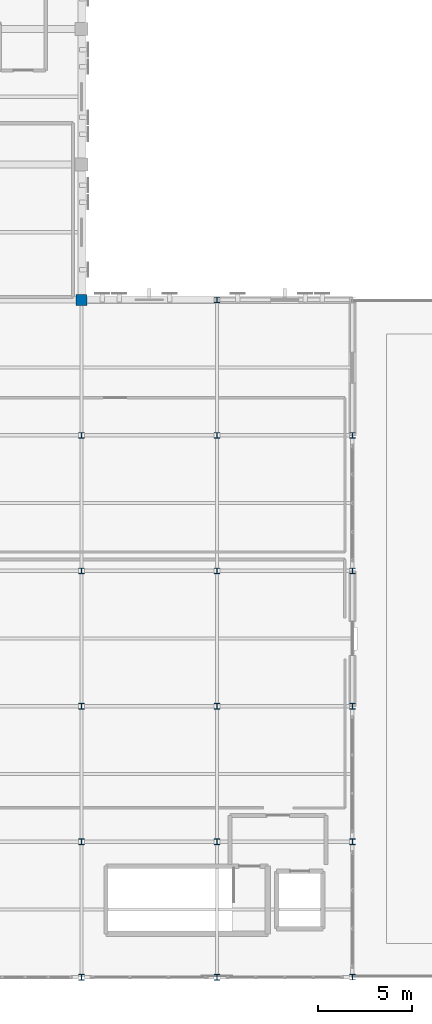
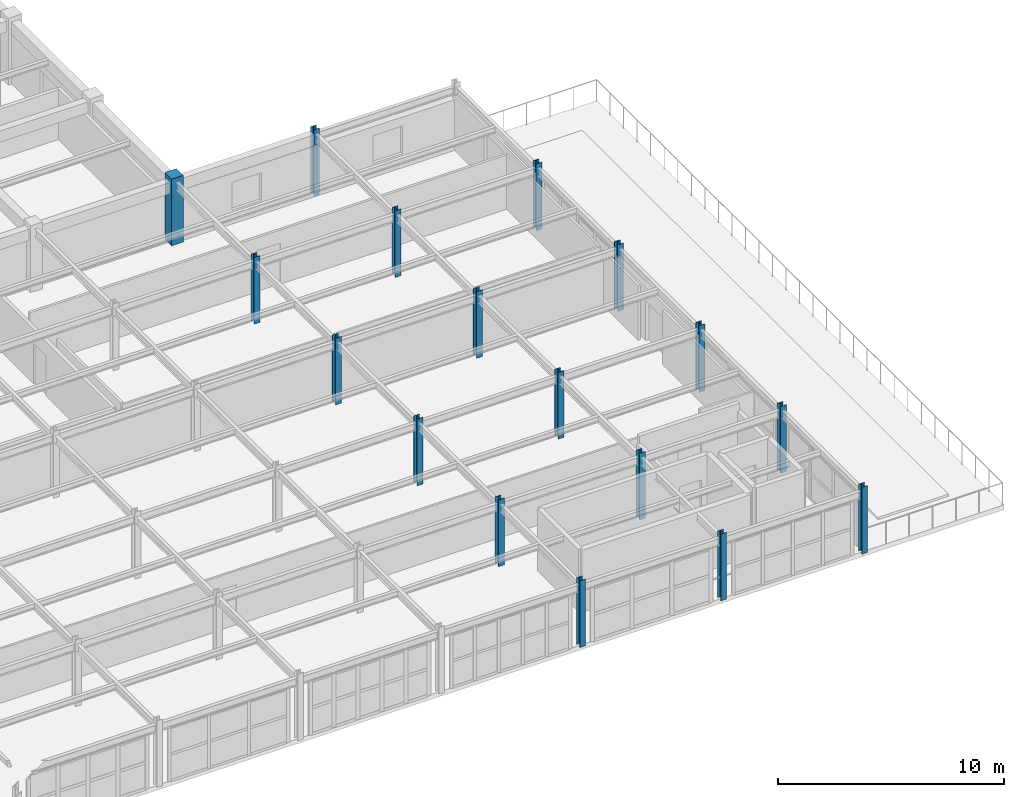
# One storey, part 6 of 73: 17 columns.
"""IFC4 building model written with IfcOpenShell, lengths in metres."""

from ifc_helpers import new_model, si_unit, direction, frame, origin, origin_2d, place, context, subcontext, project, spatial, rectangle, i_section, extrude, material, material_profile, profile_set, type_object, element, save


model = new_model("IFC4")

# Units and contexts
model_context = context("Model", 3, precision=1e-05, world=origin(), true_north=direction((0.0, 1.0)))
body_context = subcontext(model_context, "Body", "Model", "MODEL_VIEW")
ifc_project = project(units=[si_unit("LENGTHUNIT", "METRE"), si_unit("AREAUNIT", "SQUARE_METRE"), si_unit("VOLUMEUNIT", "CUBIC_METRE"), si_unit("PLANEANGLEUNIT", "RADIAN"), si_unit("MASSUNIT", "GRAM", prefix="KILO")], contexts=[model_context])

# Site, building, storey
site_placement = place(None, origin())
site = spatial("IfcSite", under=ifc_project, at=site_placement, CompositionType="ELEMENT")
building_placement = place(site_placement, origin())
building = spatial("IfcBuilding", under=site, at=building_placement, Name="Carrowvane Square Congress Hotel", CompositionType="ELEMENT")
storey_placement = place(building_placement, frame((0.0, 0.0, 19.199951171875)))
storey = spatial("IfcBuildingStorey", under=building, at=storey_placement, Name="L04", CompositionType="ELEMENT", Elevation=19.199951171875)

# Columns
ifc_material_1 = material(Name="Concrete C40/50", Category="concrete")
ifc_material_profile_1 = material_profile(ifc_material_1, rectangle(XDim=0.60009765625, YDim=0.60009765625, at=origin_2d()), Name="RC 600x600")
ifc_profile_set_1 = profile_set([ifc_material_profile_1], Name="Concrete C40/50")
column_type_1 = type_object("IfcColumnType", Name="COL-RC-600", PredefinedType="COLUMN", material=ifc_profile_set_1)
column_placement = place(storey_placement, frame((162.800048828125, 91.800048828125, 0.0), z_axis=(0.0, 0.0, 1.0), x_axis=(1.0, 0.0, 0.0)))
element("IfcColumn", 1, at=column_placement, inside=storey, type_object=column_type_1, Name="L04 column 22/N", PredefinedType="COLUMN", context=body_context, shape_type="SweptSolid", body=[
    extrude(rectangle(XDim=0.60009765625, YDim=0.60009765625, at=origin_2d()), origin(), (0.0, 0.0, 1.0), 3.60009765625),
])
ifc_material_2 = material(Name="Steel S355", Category="steel")
ifc_material_profile_2 = material_profile(ifc_material_2, i_section(OverallWidth=0.300048828125, OverallDepth=0.300048828125, WebThickness=0.010986328125, FlangeThickness=0.01904296875, FilletRadius=0.027099609375, at=origin_2d()), Name="HEB 300")
ifc_profile_set_2 = profile_set([ifc_material_profile_2], Name="Steel S355")
column_type_2 = type_object("IfcColumnType", Name="COL-ST-HEB300", PredefinedType="COLUMN", material=ifc_profile_set_2)
for number, where, z_axis, x_axis, name in (
    (2, (162.800048828125, 55.800048828125, 0.0), (0.0, 0.0, 1.0), (1.0, 0.0, 0.0), "L04 column 22/H"),
    (3, (162.800048828125, 63.0, 0.0), (0.0, 0.0, 1.0), (1.0, 0.0, 0.0), "L04 column 22/J"),
    (4, (162.800048828125, 70.199951171875, 0.0), (0.0, 0.0, 1.0), (1.0, 0.0, 0.0), "L04 column 22/K"),
    (5, (162.800048828125, 77.39990234375, 0.0), (0.0, 0.0, 1.0), (1.0, 0.0, 0.0), "L04 column 22/L"),
    (6, (162.800048828125, 84.60009765625, 0.0), (0.0, 0.0, 1.0), (1.0, 0.0, 0.0), "L04 column 22/M"),
    (7, (170.0, 55.800048828125, 0.0), (0.0, 0.0, 1.0), (1.0, 0.0, 0.0), "L04 column 23/H"),
    (8, (170.0, 63.0, 0.0), (0.0, 0.0, 1.0), (1.0, 0.0, 0.0), "L04 column 23/J"),
    (9, (170.0, 70.199951171875, 0.0), (0.0, 0.0, 1.0), (1.0, 0.0, 0.0), "L04 column 23/K"),
    (10, (170.0, 77.39990234375, 0.0), (0.0, 0.0, 1.0), (1.0, 0.0, 0.0), "L04 column 23/L"),
    (11, (170.0, 84.60009765625, 0.0), (0.0, 0.0, 1.0), (1.0, 0.0, 0.0), "L04 column 23/M"),
    (12, (170.0, 91.800048828125, 0.0), (0.0, 0.0, 1.0), (1.0, 0.0, 0.0), "L04 column 23/N"),
    (13, (177.199951171875, 55.800048828125, 0.0), (0.0, 0.0, 1.0), (1.0, 0.0, 0.0), "L04 column 24/H"),
    (14, (177.199951171875, 63.0, 0.0), (0.0, 0.0, 1.0), (1.0, 0.0, 0.0), "L04 column 24/J"),
    (15, (177.199951171875, 70.199951171875, 0.0), (0.0, 0.0, 1.0), (1.0, 0.0, 0.0), "L04 column 24/K"),
    (16, (177.199951171875, 77.39990234375, 0.0), (0.0, 0.0, 1.0), (1.0, 0.0, 0.0), "L04 column 24/L"),
    (17, (177.199951171875, 84.60009765625, 0.0), (0.0, 0.0, 1.0), (1.0, 0.0, 0.0), "L04 column 24/M"),
):
    element("IfcColumn", number, at=place(storey_placement, frame(where, z_axis=z_axis, x_axis=x_axis)), inside=storey, type_object=column_type_2, Name=name, PredefinedType="COLUMN", context=body_context, shape_type="SweptSolid", body=[
        extrude(i_section(OverallWidth=0.300048828125, OverallDepth=0.300048828125, WebThickness=0.010986328125, FlangeThickness=0.01904296875, FilletRadius=0.027099609375, at=origin_2d()), origin(), (0.0, 0.0, 1.0), 3.60009765625),
    ])

save(model, "model.ifc")
